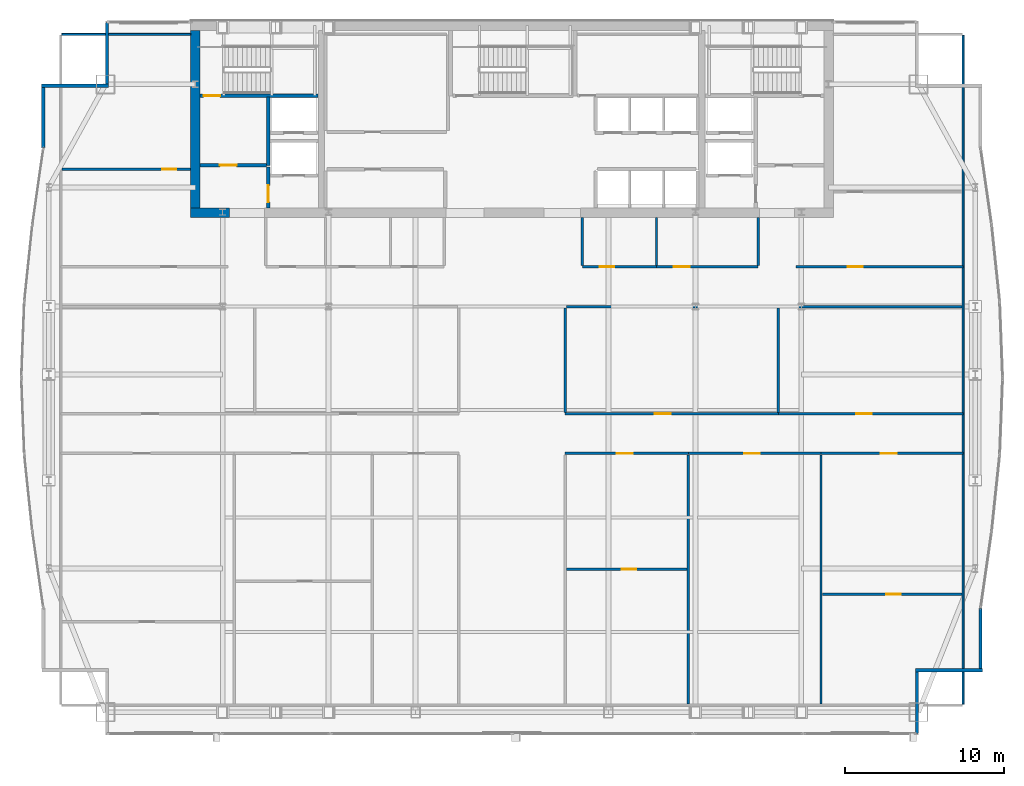
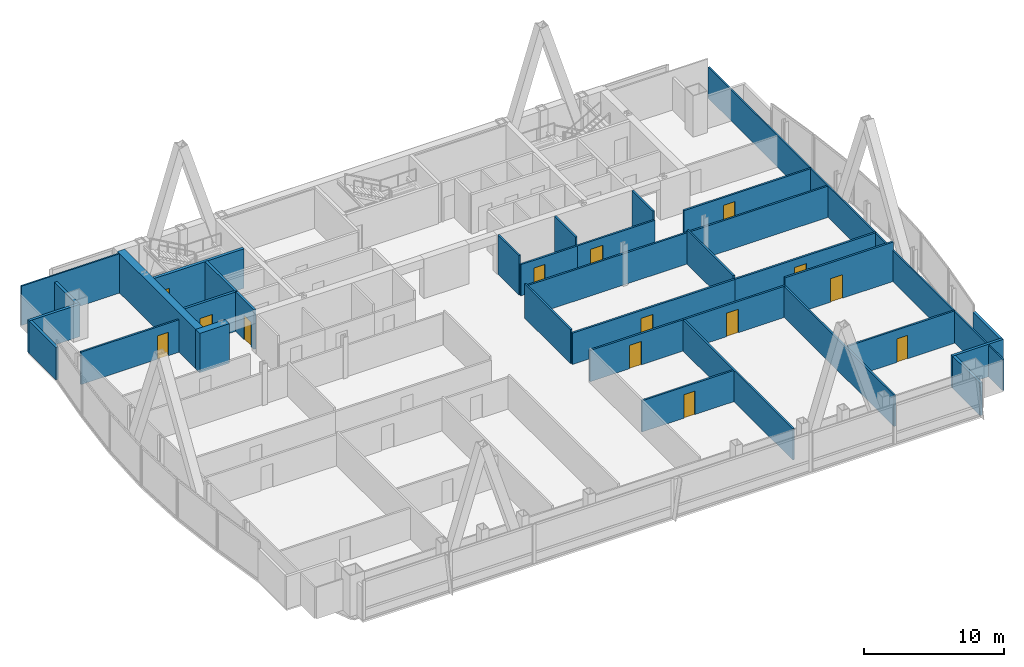
# One storey, part 28 of 32: 33 walls, 14 doors, 14 openings.
"""IFC4 building model written with IfcOpenShell, lengths in metres."""

from ifc_helpers import new_model, si_unit, direction, frame, frame_2d, origin, place, context, subcontext, project, spatial, rectangle, extrude, material, layer, layer_set, type_object, element, fill, save


model = new_model("IFC4")

# Units and contexts
model_context = context("Model", 3, precision=1e-05, world=origin(), true_north=direction((0.0, 1.0)))
body_context = subcontext(model_context, "Body", "Model", "MODEL_VIEW")
ifc_project = project(units=[si_unit("LENGTHUNIT", "METRE"), si_unit("AREAUNIT", "SQUARE_METRE"), si_unit("VOLUMEUNIT", "CUBIC_METRE"), si_unit("PLANEANGLEUNIT", "RADIAN"), si_unit("MASSUNIT", "GRAM", prefix="KILO")], contexts=[model_context])

# Site, building, storey
site_placement = place(None, origin())
site = spatial("IfcSite", under=ifc_project, at=site_placement, CompositionType="ELEMENT")
building_placement = place(site_placement, origin())
building = spatial("IfcBuilding", under=site, at=building_placement, Name="Khoronbel Lancet Exchange", CompositionType="ELEMENT")
storey_placement = place(building_placement, frame((0.0, 0.0, 199.39990234375)))
storey = spatial("IfcBuildingStorey", under=building, at=storey_placement, Name="L50", CompositionType="ELEMENT", Elevation=199.39990234375)

# Walls
ifc_material_1 = material(Name="Concrete C60/75", Category="concrete")
ifc_layer_1 = layer(ifc_material_1, 0.60009765625, Name="Concrete C60/75")
ifc_layer_set_1 = layer_set([ifc_layer_1], Name="Concrete C60/75")
wall_type_1 = type_object("IfcWallType", Name="WL-CW3", PredefinedType="SHEAR", material=ifc_layer_set_1)
wall_1_placement = place(storey_placement, frame((16.5, 41.89990234375, 0.0), z_axis=(0.0, 0.0, 1.0), x_axis=(0.0, 1.0, 0.0)))
element("IfcWall", 1, at=wall_1_placement, inside=storey, type_object=wall_type_1, Name="Level L50 rear core west shear wall", PredefinedType="SHEAR", context=body_context, shape_type="SweptSolid", body=[
    extrude(rectangle(XDim=11.2001953125, YDim=0.60009765625, at=frame_2d((5.60009765625, 0.0))), origin(), (0.0, 0.0, 1.0), 3.440185546875),
])
wall_2_placement = place(storey_placement, frame((18.64990234375, 41.60009765625, 0.0), z_axis=(0.0, 0.0, 1.0), x_axis=(-1.0, 0.0, 0.0)))
element("IfcWall", 2, at=wall_2_placement, inside=storey, type_object=wall_type_1, Name="Level L50 rear core south shear wall pier P1", PredefinedType="SHEAR", context=body_context, shape_type="SweptSolid", body=[
    extrude(rectangle(XDim=2.449951171875, YDim=0.60009765625, at=frame_2d((1.22509765625, 0.0))), origin(), (0.0, 0.0, 1.0), 3.440185546875),
])
ifc_material_2 = material(Name="Precast concrete C40/50", Category="concrete")
ifc_layer_2 = layer(ifc_material_2, 0.25, Name="Precast concrete C40/50")
ifc_layer_set_2 = layer_set([ifc_layer_2], Name="Precast concrete C40/50")
wall_type_2 = type_object("IfcWallType", Name="WL-EXT250", PredefinedType="SOLIDWALL", material=ifc_layer_set_2)
wall_3_placement = place(storey_placement, frame((6.93994140625, 45.673583984375, 0.0), z_axis=(0.0, 0.0, 1.0), x_axis=(0.0, 1.0, 0.0)))
element("IfcWall", 3, at=wall_3_placement, inside=storey, type_object=wall_type_2, Name="Level L50 notched-corner limestone pier 10", PredefinedType="SOLIDWALL", context=body_context, shape_type="SweptSolid", body=[
    extrude(rectangle(XDim=3.826416015625, YDim=0.219970703125, at=frame_2d((1.9130859375, 0.0))), origin(), (0.0, 0.0, 1.0), 2.830078125),
])
wall_4_placement = place(storey_placement, frame((6.830078125, 49.610107421875, 0.0), z_axis=(0.0, 0.0, 1.0), x_axis=(1.0, 0.0, 0.0)))
element("IfcWall", 4, at=wall_4_placement, inside=storey, type_object=wall_type_2, Name="Level L50 notched-corner limestone pier 11", PredefinedType="SOLIDWALL", context=body_context, shape_type="SweptSolid", body=[
    extrude(rectangle(XDim=4.219970703125, YDim=0.219970703125, at=frame_2d((2.10986328125, 0.0))), origin(), (0.0, 0.0, 1.0), 2.830078125),
])
wall_5_placement = place(storey_placement, frame((10.93994140625, 49.719970703125, 0.0), z_axis=(0.0, 0.0, 1.0), x_axis=(0.0, 1.0, 0.0)))
element("IfcWall", 5, at=wall_5_placement, inside=storey, type_object=wall_type_2, Name="Level L50 notched-corner limestone pier 12", PredefinedType="SOLIDWALL", context=body_context, shape_type="SweptSolid", body=[
    extrude(rectangle(XDim=3.909912109375, YDim=0.219970703125, at=frame_2d((1.955078125, 0.0))), origin(), (0.0, 0.0, 1.0), 2.830078125),
])
wall_6_placement = place(storey_placement, frame((65.9599609375, 16.726318359375, 0.0), z_axis=(0.0, 0.0, 1.0), x_axis=(0.0, -1.0, 0.0)))
element("IfcWall", 6, at=wall_6_placement, inside=storey, type_object=wall_type_2, Name="Level L50 notched-corner limestone pier 23", PredefinedType="SOLIDWALL", context=body_context, shape_type="SweptSolid", body=[
    extrude(rectangle(XDim=3.826416015625, YDim=0.219970703125, at=frame_2d((1.9130859375, 0.0))), origin(), (0.0, 0.0, 1.0), 2.830078125),
])
wall_7_placement = place(storey_placement, frame((66.070068359375, 12.7900390625, 0.0), z_axis=(0.0, 0.0, 1.0), x_axis=(-1.0, 0.0, 0.0)))
element("IfcWall", 7, at=wall_7_placement, inside=storey, type_object=wall_type_2, Name="Level L50 notched-corner limestone pier 24", PredefinedType="SOLIDWALL", context=body_context, shape_type="SweptSolid", body=[
    extrude(rectangle(XDim=4.219970703125, YDim=0.219970703125, at=frame_2d((2.10986328125, 0.0))), origin(), (0.0, 0.0, 1.0), 2.830078125),
])
wall_8_placement = place(storey_placement, frame((61.9599609375, 12.679931640625, 0.0), z_axis=(0.0, 0.0, 1.0), x_axis=(0.0, -1.0, 0.0)))
element("IfcWall", 8, at=wall_8_placement, inside=storey, type_object=wall_type_2, Name="Level L50 notched-corner limestone pier 25", PredefinedType="SOLIDWALL", context=body_context, shape_type="SweptSolid", body=[
    extrude(rectangle(XDim=3.909912109375, YDim=0.219970703125, at=frame_2d((1.955078125, 0.0))), origin(), (0.0, 0.0, 1.0), 2.830078125),
])
ifc_material_3 = material(Name="Acoustic Metal-Stud & Mineral-Wool Gypsum Partition 120 mm", Category="gypsum")
ifc_layer_3 = layer(ifc_material_3, 0.1201171875, Name="Acoustic Metal-Stud & Mineral-Wool Gypsum Partition 120 mm")
ifc_layer_set_3 = layer_set([ifc_layer_3], Name="Acoustic Metal-Stud & Mineral-Wool Gypsum Partition 120 mm")
wall_type_3 = type_object("IfcWallType", Name="WL-PRT120", PredefinedType="PARTITIONING", material=ifc_layer_set_3)
for number, where, z_axis, x_axis, name in (
    (9, (40.8798828125, 38.280029296875, 0.0), (0.0, 0.0, 1.0), (0.0, 1.0, 0.0), "Level L50 interior partition PW-NP-0"),
    (10, (45.550048828125, 38.280029296875, 0.0), (0.0, 0.0, 1.0), (0.0, 1.0, 0.0), "Level L50 interior partition PW-NP-M"),
    (11, (51.949951171875, 38.280029296875, 0.0), (0.0, 0.0, 1.0), (0.0, 1.0, 0.0), "Level L50 interior partition PW-NP-1"),
):
    element("IfcWall", number, at=place(storey_placement, frame(where, z_axis=z_axis, x_axis=x_axis)), inside=storey, type_object=wall_type_3, Name=name, PredefinedType="PARTITIONING", context=body_context, shape_type="SweptSolid", body=[
        extrude(rectangle(XDim=3.02001953125, YDim=0.14990234375, at=frame_2d((1.510009765625, 0.0))), origin(), (0.0, 0.0, 1.0), 3.440185546875),
    ])

# Wall, opening, door
wall_9_placement = place(storey_placement, frame((8.094970703125, 44.35009765625, 0.0), z_axis=(0.0, 0.0, 1.0), x_axis=(1.0, 0.0, 0.0)))
wall_9 = element("IfcWall", 12, at=wall_9_placement, inside=storey, type_object=wall_type_3, Name="Level L50 interior partition PW-NW-H", PredefinedType="PARTITIONING", context=body_context, shape_type="SweptSolid", body=[
    extrude(rectangle(XDim=8.10498046875, YDim=0.14990234375, at=frame_2d((4.052490234375, 0.0))), origin(), (0.0, 0.0, 1.0), 2.830078125),
])
opening_1_placement = place(wall_9_placement, frame((6.320068359375, 0.0, 0.0)))
opening_1 = element("IfcOpeningElement", 13, at=opening_1_placement, cuts=wall_9, Name="Opening D5", PredefinedType="OPENING", context=body_context, shape_type="SweptSolid", body=[
    extrude(rectangle(XDim=0.89990234375, YDim=2.050048828125, at=frame_2d((0.449951171875, 1.02490234375))), frame((0.0, 0.0849609375, 0.0), z_axis=(0.0, -1.0, 0.0), x_axis=(1.0, 0.0, 0.0)), (0.0, 0.0, 1.0), 0.169921875),
])
ifc_material_4 = material(Name="Acoustic Timber Pantry & Support Door", Category="wood")
door_type_1 = type_object("IfcDoorType", Name="DR-D5", OperationType="NOTDEFINED", PredefinedType="DOOR", material=ifc_material_4)
door_1_placement = place(opening_1_placement, origin())
door_1 = element("IfcDoor", 14, at=door_1_placement, inside=storey, type_object=door_type_1, Name="NW north room door L50-1", OperationType="SINGLE_SWING_LEFT", OverallHeight=2.050048828125, OverallWidth=0.89990234375, PredefinedType="DOOR", context=body_context, shape_type="SweptSolid", body=[
    extrude(rectangle(XDim=0.89990234375, YDim=2.050048828125, at=frame_2d((0.449951171875, 1.02490234375))), frame((0.0, 0.02490234375, 0.0), z_axis=(0.0, -1.0, 0.0), x_axis=(1.0, 0.0, 0.0)), (0.0, 0.0, 1.0), 0.050048828125),
])
fill(opening_1, door_1)

wall_10_placement = place(storey_placement, frame((39.8798828125, 19.158935546875, 0.0), z_axis=(0.0, 0.0, 1.0), x_axis=(1.0, 0.0, 0.0)))
wall_10 = element("IfcWall", 15, at=wall_10_placement, inside=storey, type_object=wall_type_3, Name="Level L50 interior partition PW-Z3SE-H1", PredefinedType="PARTITIONING", context=body_context, shape_type="SweptSolid", body=[
    extrude(rectangle(XDim=7.599853515625, YDim=0.14990234375, at=frame_2d((3.7998046875, 0.0))), origin(), (0.0, 0.0, 1.0), 2.72998046875),
])
opening_2_placement = place(wall_10_placement, frame((3.491943359375, 0.0, 0.0)))
opening_2 = element("IfcOpeningElement", 16, at=opening_2_placement, cuts=wall_10, Name="Opening D5", PredefinedType="OPENING", context=body_context, shape_type="SweptSolid", body=[
    extrude(rectangle(XDim=0.89990234375, YDim=2.050048828125, at=frame_2d((0.449951171875, 1.02490234375))), frame((0.0, 0.0849609375, 0.0), z_axis=(0.0, -1.0, 0.0), x_axis=(1.0, 0.0, 0.0)), (0.0, 0.0, 1.0), 0.169921875),
])
door_2_placement = place(opening_2_placement, origin())
door_2 = element("IfcDoor", 17, at=door_2_placement, inside=storey, type_object=door_type_1, Name="Z3SE inner door 1 L50-1", OperationType="SINGLE_SWING_LEFT", OverallHeight=2.050048828125, OverallWidth=0.89990234375, PredefinedType="DOOR", context=body_context, shape_type="SweptSolid", body=[
    extrude(rectangle(XDim=0.89990234375, YDim=2.050048828125, at=frame_2d((0.449951171875, 1.02490234375))), frame((0.0, 0.02490234375, 0.0), z_axis=(0.0, -1.0, 0.0), x_axis=(1.0, 0.0, 0.0)), (0.0, 0.0, 1.0), 0.050048828125),
])
fill(opening_2, door_2)

wall_11_placement = place(storey_placement, frame((55.996337890625, 17.573974609375, 0.0), z_axis=(0.0, 0.0, 1.0), x_axis=(1.0, 0.0, 0.0)))
wall_11 = element("IfcWall", 18, at=wall_11_placement, inside=storey, type_object=wall_type_3, Name="Level L50 interior partition PW-Z3SE-H3", PredefinedType="PARTITIONING", context=body_context, shape_type="SweptSolid", body=[
    extrude(rectangle(XDim=8.80859375, YDim=0.14990234375, at=frame_2d((4.404296875, 0.0))), origin(), (0.0, 0.0, 1.0), 2.830078125),
])
opening_3_placement = place(wall_11_placement, frame((4.029052734375, 0.0, 0.0)))
opening_3 = element("IfcOpeningElement", 19, at=opening_3_placement, cuts=wall_11, Name="Opening D5", PredefinedType="OPENING", context=body_context, shape_type="SweptSolid", body=[
    extrude(rectangle(XDim=0.89990234375, YDim=2.050048828125, at=frame_2d((0.449951171875, 1.02490234375))), frame((0.0, 0.0849609375, 0.0), z_axis=(0.0, -1.0, 0.0), x_axis=(1.0, 0.0, 0.0)), (0.0, 0.0, 1.0), 0.169921875),
])
door_3_placement = place(opening_3_placement, origin())
door_3 = element("IfcDoor", 20, at=door_3_placement, inside=storey, type_object=door_type_1, Name="Z3SE inner door 3 L50-1", OperationType="SINGLE_SWING_RIGHT", OverallHeight=2.050048828125, OverallWidth=0.89990234375, PredefinedType="DOOR", context=body_context, shape_type="SweptSolid", body=[
    extrude(rectangle(XDim=0.89990234375, YDim=2.050048828125, at=frame_2d((0.449951171875, 1.02490234375))), frame((0.0, 0.02490234375, 0.0), z_axis=(0.0, -1.0, 0.0), x_axis=(1.0, 0.0, 0.0)), (0.0, 0.0, 1.0), 0.050048828125),
])
fill(opening_3, door_3)

# Walls
wall_12_placement = place(storey_placement, frame((64.8701171875, 10.6650390625, 0.0), z_axis=(0.0, 0.0, 1.0), x_axis=(0.0, 1.0, 0.0)))
element("IfcWall", 21, at=wall_12_placement, inside=storey, type_object=wall_type_3, Name="Level L50 interior partition PW-LIN-E", PredefinedType="PARTITIONING", context=body_context, shape_type="SweptSolid", body=[
    extrude(rectangle(XDim=42.10986328125, YDim=0.1201171875, at=frame_2d((21.054931640625, 0.0))), origin(), (0.0, 0.0, 1.0), 2.72998046875),
])
wall_13_placement = place(storey_placement, frame((8.094970703125, 52.840087890625, 0.0), z_axis=(0.0, 0.0, 1.0), x_axis=(1.0, 0.0, 0.0)))
element("IfcWall", 22, at=wall_13_placement, inside=storey, type_object=wall_type_3, Name="Level L50 interior partition PW-LIN-NW", PredefinedType="PARTITIONING", context=body_context, shape_type="SweptSolid", body=[
    extrude(rectangle(XDim=8.10498046875, YDim=0.1201171875, at=frame_2d((4.052490234375, 0.0))), origin(), (0.0, 0.0, 1.0), 3.440185546875),
])

# Wall, opening, door
ifc_material_5 = material(Name="Fire-Rated Twin-Stud Acoustic Gypsum Partition 150 mm", Category="gypsum")
ifc_layer_4 = layer(ifc_material_5, 0.14990234375, Name="Fire-Rated Twin-Stud Acoustic Gypsum Partition 150 mm")
ifc_layer_set_4 = layer_set([ifc_layer_4], Name="Fire-Rated Twin-Stud Acoustic Gypsum Partition 150 mm")
wall_type_4 = type_object("IfcWallType", Name="WL-PRT150C", PredefinedType="PARTITIONING", material=ifc_layer_set_4)
wall_14_placement = place(storey_placement, frame((40.8798828125, 38.199951171875, 0.0), z_axis=(0.0, 0.0, 1.0), x_axis=(1.0, 0.0, 0.0)))
wall_14 = element("IfcWall", 23, at=wall_14_placement, inside=storey, type_object=wall_type_4, Name="Level L50 interior partition PW-NP-S1", PredefinedType="PARTITIONING", context=body_context, shape_type="SweptSolid", body=[
    extrude(rectangle(XDim=4.670166015625, YDim=0.14990234375, at=frame_2d((2.3349609375, 0.0))), origin(), (0.0, 0.0, 1.0), 2.72998046875),
])
opening_4_placement = place(wall_14_placement, frame((1.10009765625, 0.0, 0.0)))
opening_4 = element("IfcOpeningElement", 24, at=opening_4_placement, cuts=wall_14, Name="Opening D5", PredefinedType="OPENING", context=body_context, shape_type="SweptSolid", body=[
    extrude(rectangle(XDim=0.89990234375, YDim=2.050048828125, at=frame_2d((0.449951171875, 1.02490234375))), frame((0.0, 0.0849609375, 0.0), z_axis=(0.0, -1.0, 0.0), x_axis=(1.0, 0.0, 0.0)), (0.0, 0.0, 1.0), 0.169921875),
])
door_4_placement = place(opening_4_placement, origin())
door_4 = element("IfcDoor", 25, at=door_4_placement, inside=storey, type_object=door_type_1, Name="Floor refreshment pantry door L50-1", OperationType="SINGLE_SWING_LEFT", OverallHeight=2.050048828125, OverallWidth=0.89990234375, PredefinedType="DOOR", context=body_context, shape_type="SweptSolid", body=[
    extrude(rectangle(XDim=0.89990234375, YDim=2.050048828125, at=frame_2d((0.449951171875, 1.02490234375))), frame((0.0, 0.02490234375, 0.0), z_axis=(0.0, -1.0, 0.0), x_axis=(1.0, 0.0, 0.0)), (0.0, 0.0, 1.0), 0.050048828125),
])
fill(opening_4, door_4)

wall_15_placement = place(storey_placement, frame((45.550048828125, 38.199951171875, 0.0), z_axis=(0.0, 0.0, 1.0), x_axis=(1.0, 0.0, 0.0)))
wall_15 = element("IfcWall", 26, at=wall_15_placement, inside=storey, type_object=wall_type_4, Name="Level L50 interior partition PW-NP-S2", PredefinedType="PARTITIONING", context=body_context, shape_type="SweptSolid", body=[
    extrude(rectangle(XDim=6.39990234375, YDim=0.14990234375, at=frame_2d((3.199951171875, 0.0))), origin(), (0.0, 0.0, 1.0), 2.72998046875),
])
opening_5_placement = place(wall_15_placement, frame((1.10009765625, 0.0, 0.0)))
opening_5 = element("IfcOpeningElement", 27, at=opening_5_placement, cuts=wall_15, Name="Opening D2", PredefinedType="OPENING", context=body_context, shape_type="SweptSolid", body=[
    extrude(rectangle(XDim=1.0, YDim=2.050048828125, at=frame_2d((0.5, 1.02490234375))), frame((0.0, 0.0849609375, 0.0), z_axis=(0.0, -1.0, 0.0), x_axis=(1.0, 0.0, 0.0)), (0.0, 0.0, 1.0), 0.169921875),
])
ifc_material_6 = material(Name="Acoustic Veneered Timber & Bronze Frame Door", Category="wood")
door_type_2 = type_object("IfcDoorType", Name="DR-D2", OperationType="NOTDEFINED", PredefinedType="DOOR", material=ifc_material_6)
door_5_placement = place(opening_5_placement, origin())
door_5 = element("IfcDoor", 28, at=door_5_placement, inside=storey, type_object=door_type_2, Name="Floor store door L50-1", OperationType="SINGLE_SWING_RIGHT", OverallHeight=2.050048828125, OverallWidth=1.0, PredefinedType="DOOR", context=body_context, shape_type="SweptSolid", body=[
    extrude(rectangle(XDim=1.0, YDim=2.050048828125, at=frame_2d((0.5, 1.02490234375))), frame((0.0, 0.02490234375, 0.0), z_axis=(0.0, -1.0, 0.0), x_axis=(1.0, 0.0, 0.0)), (0.0, 0.0, 1.0), 0.050048828125),
])
fill(opening_5, door_5)

wall_16_placement = place(storey_placement, frame((54.35009765625, 38.199951171875, 0.0), z_axis=(0.0, 0.0, 1.0), x_axis=(1.0, 0.0, 0.0)))
wall_16 = element("IfcWall", 29, at=wall_16_placement, inside=storey, type_object=wall_type_4, Name="Level L50 interior partition PW-NE-S", PredefinedType="PARTITIONING", context=body_context, shape_type="SweptSolid", body=[
    extrude(rectangle(XDim=10.52001953125, YDim=0.14990234375, at=frame_2d((5.260009765625, 0.0))), origin(), (0.0, 0.0, 1.0), 2.72998046875),
])
opening_6_placement = place(wall_16_placement, frame((3.25, 0.0, 0.0)))
opening_6 = element("IfcOpeningElement", 30, at=opening_6_placement, cuts=wall_16, Name="Opening D1", PredefinedType="OPENING", context=body_context, shape_type="SweptSolid", body=[
    extrude(rectangle(XDim=0.949951171875, YDim=2.050048828125, at=frame_2d((0.47509765625, 1.02490234375))), frame((0.0, 0.0849609375, 0.0), z_axis=(0.0, -1.0, 0.0), x_axis=(1.0, 0.0, 0.0)), (0.0, 0.0, 1.0), 0.169921875),
])
door_type_3 = type_object("IfcDoorType", Name="DR-D1", OperationType="NOTDEFINED", PredefinedType="DOOR", material=ifc_material_6)
door_6_placement = place(opening_6_placement, origin())
door_6 = element("IfcDoor", 31, at=door_6_placement, inside=storey, type_object=door_type_3, Name="NE corner room door L50-1", OperationType="SINGLE_SWING_RIGHT", OverallHeight=2.050048828125, OverallWidth=0.949951171875, PredefinedType="DOOR", context=body_context, shape_type="SweptSolid", body=[
    extrude(rectangle(XDim=0.949951171875, YDim=2.050048828125, at=frame_2d((0.47509765625, 1.02490234375))), frame((0.0, 0.02490234375, 0.0), z_axis=(0.0, -1.0, 0.0), x_axis=(1.0, 0.0, 0.0)), (0.0, 0.0, 1.0), 0.050048828125),
])
fill(opening_6, door_6)

# Walls
wall_17_placement = place(storey_placement, frame((39.800048828125, 29.034912109375, 0.0), z_axis=(0.0, 0.0, 1.0), x_axis=(0.0, 1.0, 0.0)))
element("IfcWall", 32, at=wall_17_placement, inside=storey, type_object=wall_type_4, Name="Level L50 interior partition PW-Z3-CE2", PredefinedType="PARTITIONING", context=body_context, shape_type="SweptSolid", body=[
    extrude(rectangle(XDim=6.585205078125, YDim=0.14990234375, at=frame_2d((3.29248046875, 0.0))), origin(), (0.0, 0.0, 1.0), 2.97998046875),
])
wall_18_placement = place(storey_placement, frame((39.8798828125, 35.699951171875, 0.0), z_axis=(0.0, 0.0, 1.0), x_axis=(1.0, 0.0, 0.0)))
element("IfcWall", 33, at=wall_18_placement, inside=storey, type_object=wall_type_4, Name="Level L50 interior partition PW-Z3-EN", PredefinedType="PARTITIONING", context=body_context, shape_type="SweptSolid", body=[
    extrude(rectangle(XDim=24.925048828125, YDim=0.14990234375, at=frame_2d((12.46240234375, 0.0))), origin(), (0.0, 0.0, 1.0), 2.72998046875),
])
for number, where, z_axis, x_axis, name in (
    (34, (47.559814453125, 10.6650390625, 0.0), (0.0, 0.0, 1.0), (0.0, 1.0, 0.0), "Level L50 interior partition PW-Z3SE-V1"),
    (35, (55.91650390625, 10.6650390625, 0.0), (0.0, 0.0, 1.0), (0.0, 1.0, 0.0), "Level L50 interior partition PW-Z3SE-V2"),
):
    element("IfcWall", number, at=place(storey_placement, frame(where, z_axis=z_axis, x_axis=x_axis)), inside=storey, type_object=wall_type_4, Name=name, PredefinedType="PARTITIONING", context=body_context, shape_type="SweptSolid", body=[
        extrude(rectangle(XDim=15.699951171875, YDim=0.14990234375, at=frame_2d((7.85009765625, 0.0))), origin(), (0.0, 0.0, 1.0), 2.72998046875),
    ])
wall_19_placement = place(storey_placement, frame((53.23046875, 29.034912109375, 0.0), z_axis=(0.0, 0.0, 1.0), x_axis=(0.0, 1.0, 0.0)))
element("IfcWall", 36, at=wall_19_placement, inside=storey, type_object=wall_type_4, Name="Level L50 interior partition PW-Z3NE-V1", PredefinedType="PARTITIONING", context=body_context, shape_type="SweptSolid", body=[
    extrude(rectangle(XDim=6.585205078125, YDim=0.14990234375, at=frame_2d((3.29248046875, 0.0))), origin(), (0.0, 0.0, 1.0), 2.97998046875),
])

# Wall, opening, door
ifc_material_7 = material(Name="Fire-Rated Twin-Stud Acoustic Gypsum Partition 160 mm", Category="gypsum")
ifc_layer_5 = layer(ifc_material_7, 0.159912109375, Name="Fire-Rated Twin-Stud Acoustic Gypsum Partition 160 mm")
ifc_layer_set_5 = layer_set([ifc_layer_5], Name="Fire-Rated Twin-Stud Acoustic Gypsum Partition 160 mm")
wall_type_5 = type_object("IfcWallType", Name="WL-PRT160C", PredefinedType="PARTITIONING", material=ifc_layer_set_5)
wall_20_placement = place(storey_placement, frame((39.800048828125, 26.449951171875, 0.0), z_axis=(0.0, 0.0, 1.0), x_axis=(1.0, 0.0, 0.0)))
wall_20 = element("IfcWall", 37, at=wall_20_placement, inside=storey, type_object=wall_type_5, Name="Level L50 interior partition PW-Z3SE-COR1", PredefinedType="PARTITIONING", context=body_context, shape_type="SweptSolid", body=[
    extrude(rectangle(XDim=7.759765625, YDim=0.159912109375, at=frame_2d((3.8798828125, 0.0))), origin(), (0.0, 0.0, 1.0), 2.72998046875),
])
opening_7_placement = place(wall_20_placement, frame((3.259033203125, 0.0, 0.0)))
opening_7 = element("IfcOpeningElement", 38, at=opening_7_placement, cuts=wall_20, Name="Opening D2", PredefinedType="OPENING", context=body_context, shape_type="SweptSolid", body=[
    extrude(rectangle(XDim=1.0, YDim=2.050048828125, at=frame_2d((0.5, 1.02490234375))), frame((0.0, 0.08984375, 0.0), z_axis=(0.0, -1.0, 0.0), x_axis=(1.0, 0.0, 0.0)), (0.0, 0.0, 1.0), 0.179931640625),
])
door_7_placement = place(opening_7_placement, origin())
door_7 = element("IfcDoor", 39, at=door_7_placement, inside=storey, type_object=door_type_2, Name="Z3SE bay 1 door L50-1", OperationType="SINGLE_SWING_RIGHT", OverallHeight=2.050048828125, OverallWidth=1.0, PredefinedType="DOOR", context=body_context, shape_type="SweptSolid", body=[
    extrude(rectangle(XDim=1.0, YDim=2.050048828125, at=frame_2d((0.5, 1.02490234375))), frame((0.0, 0.02490234375, 0.0), z_axis=(0.0, -1.0, 0.0), x_axis=(1.0, 0.0, 0.0)), (0.0, 0.0, 1.0), 0.050048828125),
])
fill(opening_7, door_7)

wall_21_placement = place(storey_placement, frame((47.559814453125, 26.449951171875, 0.0), z_axis=(0.0, 0.0, 1.0), x_axis=(1.0, 0.0, 0.0)))
wall_21 = element("IfcWall", 40, at=wall_21_placement, inside=storey, type_object=wall_type_5, Name="Level L50 interior partition PW-Z3SE-COR2", PredefinedType="PARTITIONING", context=body_context, shape_type="SweptSolid", body=[
    extrude(rectangle(XDim=8.356689453125, YDim=0.159912109375, at=frame_2d((4.17822265625, 0.0))), origin(), (0.0, 0.0, 1.0), 2.72998046875),
])
opening_8_placement = place(wall_21_placement, frame((3.509765625, 0.0, 0.0)))
opening_8 = element("IfcOpeningElement", 41, at=opening_8_placement, cuts=wall_21, Name="Opening D2", PredefinedType="OPENING", context=body_context, shape_type="SweptSolid", body=[
    extrude(rectangle(XDim=1.0, YDim=2.050048828125, at=frame_2d((0.5, 1.02490234375))), frame((0.0, 0.08984375, 0.0), z_axis=(0.0, -1.0, 0.0), x_axis=(1.0, 0.0, 0.0)), (0.0, 0.0, 1.0), 0.179931640625),
])
door_8_placement = place(opening_8_placement, origin())
door_8 = element("IfcDoor", 42, at=door_8_placement, inside=storey, type_object=door_type_2, Name="Z3SE bay 2 door L50-1", OperationType="SINGLE_SWING_RIGHT", OverallHeight=2.050048828125, OverallWidth=1.0, PredefinedType="DOOR", context=body_context, shape_type="SweptSolid", body=[
    extrude(rectangle(XDim=1.0, YDim=2.050048828125, at=frame_2d((0.5, 1.02490234375))), frame((0.0, 0.02490234375, 0.0), z_axis=(0.0, -1.0, 0.0), x_axis=(1.0, 0.0, 0.0)), (0.0, 0.0, 1.0), 0.050048828125),
])
fill(opening_8, door_8)

wall_22_placement = place(storey_placement, frame((55.91650390625, 26.449951171875, 0.0), z_axis=(0.0, 0.0, 1.0), x_axis=(1.0, 0.0, 0.0)))
wall_22 = element("IfcWall", 43, at=wall_22_placement, inside=storey, type_object=wall_type_5, Name="Level L50 interior partition PW-Z3SE-COR3", PredefinedType="PARTITIONING", context=body_context, shape_type="SweptSolid", body=[
    extrude(rectangle(XDim=8.95361328125, YDim=0.159912109375, at=frame_2d((4.476806640625, 0.0))), origin(), (0.0, 0.0, 1.0), 3.440185546875),
])
opening_9_placement = place(wall_22_placement, frame((3.760498046875, 0.0, 0.0)))
opening_9 = element("IfcOpeningElement", 44, at=opening_9_placement, cuts=wall_22, Name="Opening D2", PredefinedType="OPENING", context=body_context, shape_type="SweptSolid", body=[
    extrude(rectangle(XDim=1.0, YDim=2.050048828125, at=frame_2d((0.5, 1.02490234375))), frame((0.0, 0.08984375, 0.0), z_axis=(0.0, -1.0, 0.0), x_axis=(1.0, 0.0, 0.0)), (0.0, 0.0, 1.0), 0.179931640625),
])
door_9_placement = place(opening_9_placement, origin())
door_9 = element("IfcDoor", 45, at=door_9_placement, inside=storey, type_object=door_type_2, Name="Z3SE bay 3 door L50-1", OperationType="SINGLE_SWING_LEFT", OverallHeight=2.050048828125, OverallWidth=1.0, PredefinedType="DOOR", context=body_context, shape_type="SweptSolid", body=[
    extrude(rectangle(XDim=1.0, YDim=2.050048828125, at=frame_2d((0.5, 1.02490234375))), frame((0.0, 0.02490234375, 0.0), z_axis=(0.0, -1.0, 0.0), x_axis=(1.0, 0.0, 0.0)), (0.0, 0.0, 1.0), 0.050048828125),
])
fill(opening_9, door_9)

wall_23_placement = place(storey_placement, frame((39.800048828125, 28.949951171875, 0.0), z_axis=(0.0, 0.0, 1.0), x_axis=(1.0, 0.0, 0.0)))
wall_23 = element("IfcWall", 46, at=wall_23_placement, inside=storey, type_object=wall_type_5, Name="Level L50 interior partition PW-Z3NE-COR1", PredefinedType="PARTITIONING", context=body_context, shape_type="SweptSolid", body=[
    extrude(rectangle(XDim=13.430419921875, YDim=0.159912109375, at=frame_2d((6.71533203125, 0.0))), origin(), (0.0, 0.0, 1.0), 2.72998046875),
])
opening_10_placement = place(wall_23_placement, frame((5.640869140625, 0.0, 0.0)))
opening_10 = element("IfcOpeningElement", 47, at=opening_10_placement, cuts=wall_23, Name="Opening D2", PredefinedType="OPENING", context=body_context, shape_type="SweptSolid", body=[
    extrude(rectangle(XDim=1.0, YDim=2.050048828125, at=frame_2d((0.5, 1.02490234375))), frame((0.0, 0.08984375, 0.0), z_axis=(0.0, -1.0, 0.0), x_axis=(1.0, 0.0, 0.0)), (0.0, 0.0, 1.0), 0.179931640625),
])
door_10_placement = place(opening_10_placement, origin())
door_10 = element("IfcDoor", 48, at=door_10_placement, inside=storey, type_object=door_type_2, Name="Z3NE bay 1 door L50-1", OperationType="SINGLE_SWING_LEFT", OverallHeight=2.050048828125, OverallWidth=1.0, PredefinedType="DOOR", context=body_context, shape_type="SweptSolid", body=[
    extrude(rectangle(XDim=1.0, YDim=2.050048828125, at=frame_2d((0.5, 1.02490234375))), frame((0.0, 0.02490234375, 0.0), z_axis=(0.0, -1.0, 0.0), x_axis=(1.0, 0.0, 0.0)), (0.0, 0.0, 1.0), 0.050048828125),
])
fill(opening_10, door_10)

wall_24_placement = place(storey_placement, frame((53.23046875, 28.949951171875, 0.0), z_axis=(0.0, 0.0, 1.0), x_axis=(1.0, 0.0, 0.0)))
wall_24 = element("IfcWall", 49, at=wall_24_placement, inside=storey, type_object=wall_type_5, Name="Level L50 interior partition PW-Z3NE-COR2", PredefinedType="PARTITIONING", context=body_context, shape_type="SweptSolid", body=[
    extrude(rectangle(XDim=11.6396484375, YDim=0.159912109375, at=frame_2d((5.81982421875, 0.0))), origin(), (0.0, 0.0, 1.0), 2.72998046875),
])
opening_11_placement = place(wall_24_placement, frame((4.888671875, 0.0, 0.0)))
opening_11 = element("IfcOpeningElement", 50, at=opening_11_placement, cuts=wall_24, Name="Opening D2", PredefinedType="OPENING", context=body_context, shape_type="SweptSolid", body=[
    extrude(rectangle(XDim=1.0, YDim=2.050048828125, at=frame_2d((0.5, 1.02490234375))), frame((0.0, 0.08984375, 0.0), z_axis=(0.0, -1.0, 0.0), x_axis=(1.0, 0.0, 0.0)), (0.0, 0.0, 1.0), 0.179931640625),
])
door_11_placement = place(opening_11_placement, origin())
door_11 = element("IfcDoor", 51, at=door_11_placement, inside=storey, type_object=door_type_2, Name="Z3NE bay 2 door L50-1", OperationType="SINGLE_SWING_RIGHT", OverallHeight=2.050048828125, OverallWidth=1.0, PredefinedType="DOOR", context=body_context, shape_type="SweptSolid", body=[
    extrude(rectangle(XDim=1.0, YDim=2.050048828125, at=frame_2d((0.5, 1.02490234375))), frame((0.0, 0.02490234375, 0.0), z_axis=(0.0, -1.0, 0.0), x_axis=(1.0, 0.0, 0.0)), (0.0, 0.0, 1.0), 0.050048828125),
])
fill(opening_11, door_11)

# Wall
ifc_material_8 = material(Name="Autoclaved Aerated Concrete Blockwork 200 mm", Category="masonry")
ifc_layer_6 = layer(ifc_material_8, 0.199951171875, Name="Autoclaved Aerated Concrete Blockwork 200 mm")
ifc_layer_set_6 = layer_set([ifc_layer_6], Name="Autoclaved Aerated Concrete Blockwork 200 mm")
wall_type_6 = type_object("IfcWallType", Name="WL-PRT200", PredefinedType="PARTITIONING", material=ifc_layer_set_6)
wall_25_placement = place(storey_placement, frame((21.10009765625, 44.60009765625, 0.0), z_axis=(0.0, 0.0, 1.0), x_axis=(0.0, 1.0, 0.0)))
element("IfcWall", 52, at=wall_25_placement, inside=storey, type_object=wall_type_6, Name="Level L50 interior partition CW-FFLW-E", PredefinedType="PARTITIONING", context=body_context, shape_type="SweptSolid", body=[
    extrude(rectangle(XDim=4.2998046875, YDim=0.199951171875, at=frame_2d((2.14990234375, 0.0))), origin(), (0.0, 0.0, 1.0), 3.440185546875),
])

# Wall, opening, door
wall_26_placement = place(storey_placement, frame((16.800048828125, 44.60009765625, 0.0), z_axis=(0.0, 0.0, 1.0), x_axis=(1.0, 0.0, 0.0)))
wall_26 = element("IfcWall", 53, at=wall_26_placement, inside=storey, type_object=wall_type_6, Name="Level L50 interior partition CW-FFLW-S", PredefinedType="PARTITIONING", context=body_context, shape_type="SweptSolid", body=[
    extrude(rectangle(XDim=4.199951171875, YDim=0.199951171875, at=frame_2d((2.10009765625, 0.0))), origin(), (0.0, 0.0, 1.0), 3.440185546875),
])
opening_12_placement = place(wall_26_placement, frame((1.25, 0.0, 0.0)))
opening_12 = element("IfcOpeningElement", 54, at=opening_12_placement, cuts=wall_26, Name="Opening FD1", PredefinedType="OPENING", context=body_context, shape_type="SweptSolid", body=[
    extrude(rectangle(XDim=1.050048828125, YDim=2.14990234375, at=frame_2d((0.52490234375, 1.074951171875))), frame((0.0, 0.10986328125, 0.0), z_axis=(0.0, -1.0, 0.0), x_axis=(1.0, 0.0, 0.0)), (0.0, 0.0, 1.0), 0.219970703125),
])
ifc_material_9 = material(Name="Fire-Rated Painted Steel Door Assembly", Category="steel")
door_type_4 = type_object("IfcDoorType", Name="DR-FD1", OperationType="NOTDEFINED", PredefinedType="DOOR", material=ifc_material_9)
door_12_placement = place(opening_12_placement, origin())
door_12 = element("IfcDoor", 55, at=door_12_placement, inside=storey, type_object=door_type_4, Name="West firefighting lobby FD90S door L50-1", OperationType="SINGLE_SWING_LEFT", OverallHeight=2.14990234375, OverallWidth=1.050048828125, PredefinedType="DOOR", context=body_context, shape_type="SweptSolid", body=[
    extrude(rectangle(XDim=1.050048828125, YDim=2.14990234375, at=frame_2d((0.52490234375, 1.074951171875))), frame((0.0, 0.02490234375, 0.0), z_axis=(0.0, -1.0, 0.0), x_axis=(1.0, 0.0, 0.0)), (0.0, 0.0, 1.0), 0.050048828125),
])
fill(opening_12, door_12)

wall_27_placement = place(storey_placement, frame((21.10009765625, 41.89990234375, 0.0), z_axis=(0.0, 0.0, 1.0), x_axis=(0.0, 1.0, 0.0)))
wall_27 = element("IfcWall", 56, at=wall_27_placement, inside=storey, type_object=wall_type_6, Name="Level L50 interior partition CW-SVLW-W", PredefinedType="PARTITIONING", context=body_context, shape_type="SweptSolid", body=[
    extrude(rectangle(XDim=2.59521484375, YDim=0.199951171875, at=frame_2d((1.297607421875, 0.0))), origin(), (0.0, 0.0, 1.0), 3.440185546875),
])
opening_13_placement = place(wall_27_placement, frame((0.3798828125, 0.0, 0.0)))
opening_13 = element("IfcOpeningElement", 57, at=opening_13_placement, cuts=wall_27, Name="Opening FD1", PredefinedType="OPENING", context=body_context, shape_type="SweptSolid", body=[
    extrude(rectangle(XDim=1.050048828125, YDim=2.14990234375, at=frame_2d((0.52490234375, 1.074951171875))), frame((0.0, 0.10986328125, 0.0), z_axis=(0.0, -1.0, 0.0), x_axis=(1.0, 0.0, 0.0)), (0.0, 0.0, 1.0), 0.219970703125),
])
door_13_placement = place(opening_13_placement, origin())
door_13 = element("IfcDoor", 58, at=door_13_placement, inside=storey, type_object=door_type_4, Name="West service lift lobby door L50-1", OperationType="SINGLE_SWING_RIGHT", OverallHeight=2.14990234375, OverallWidth=1.050048828125, PredefinedType="DOOR", context=body_context, shape_type="SweptSolid", body=[
    extrude(rectangle(XDim=1.050048828125, YDim=2.14990234375, at=frame_2d((0.52490234375, 1.074951171875))), frame((0.0, 0.02490234375, 0.0), z_axis=(0.0, -1.0, 0.0), x_axis=(1.0, 0.0, 0.0)), (0.0, 0.0, 1.0), 0.050048828125),
])
fill(opening_13, door_13)

ifc_layer_7 = layer(ifc_material_1, 0.260009765625, Name="Concrete C60/75")
ifc_layer_set_7 = layer_set([ifc_layer_7], Name="Concrete C60/75")
wall_type_7 = type_object("IfcWallType", Name="WL-SW3", PredefinedType="SHEAR", material=ifc_layer_set_7)
wall_28_placement = place(storey_placement, frame((16.800048828125, 48.97998046875, 0.0), z_axis=(0.0, 0.0, 1.0), x_axis=(1.0, 0.0, 0.0)))
wall_28 = element("IfcWall", 59, at=wall_28_placement, inside=storey, type_object=wall_type_7, Name="Level L50 west stairwell structural south wall", PredefinedType="SHEAR", context=body_context, shape_type="SweptSolid", body=[
    extrude(rectangle(XDim=7.419921875, YDim=0.239990234375, at=frame_2d((3.7099609375, 0.0))), origin(), (0.0, 0.0, 1.0), 3.440185546875),
])
opening_14_placement = place(wall_28_placement, frame((0.219970703125, 0.0, 0.0)))
opening_14 = element("IfcOpeningElement", 60, at=opening_14_placement, cuts=wall_28, Name="Opening SD1", PredefinedType="OPENING", context=body_context, shape_type="SweptSolid", body=[
    extrude(rectangle(XDim=1.050048828125, YDim=2.14990234375, at=frame_2d((0.52490234375, 1.074951171875))), frame((0.0, 0.1298828125, 0.0), z_axis=(0.0, -1.0, 0.0), x_axis=(1.0, 0.0, 0.0)), (0.0, 0.0, 1.0), 0.260009765625),
])
ifc_material_10 = material(Name="Fire-Rated Steel Stairwell Door Assembly", Category="steel")
door_type_5 = type_object("IfcDoorType", Name="DR-SD1", OperationType="NOTDEFINED", PredefinedType="DOOR", material=ifc_material_10)
door_14_placement = place(opening_14_placement, origin())
door_14 = element("IfcDoor", 61, at=door_14_placement, inside=storey, type_object=door_type_5, Name="Protected exit stair ST1 door L50", OperationType="SINGLE_SWING_LEFT", OverallHeight=2.14990234375, OverallWidth=1.050048828125, PredefinedType="DOOR", context=body_context, shape_type="SweptSolid", body=[
    extrude(rectangle(XDim=1.050048828125, YDim=2.14990234375, at=frame_2d((0.52490234375, 1.074951171875))), frame((0.0, 0.02490234375, 0.0), z_axis=(0.0, -1.0, 0.0), x_axis=(1.0, 0.0, 0.0)), (0.0, 0.0, 1.0), 0.050048828125),
])
fill(opening_14, door_14)

save(model, "model.ifc")
